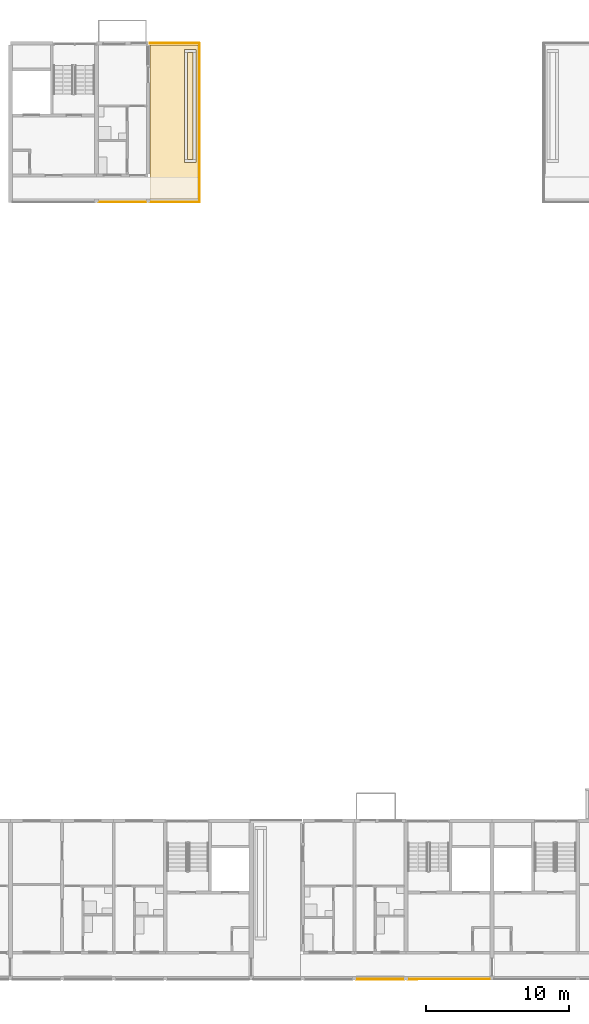
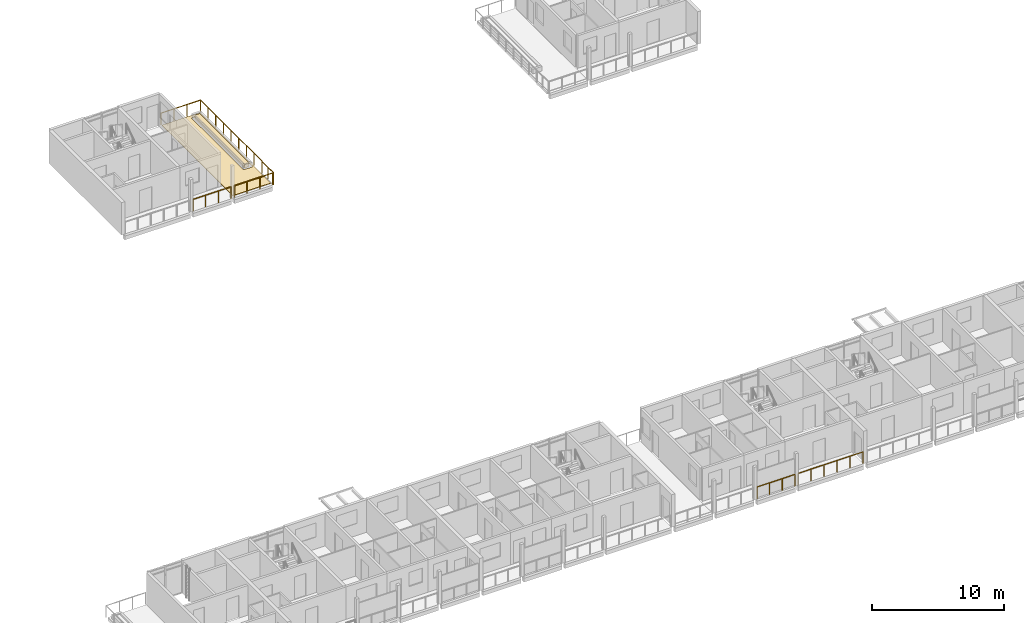
# One storey, part 58 of 64: 6 railings, 3 coverings.
"""IFC4 building model written with IfcOpenShell, lengths in metres."""

from ifc_helpers import new_model, si_unit, direction, frame, origin, origin_2d, place, context, subcontext, project, spatial, polyline, circle, outline, extrude, material, layer, layer_set, type_object, element, save


model = new_model("IFC4")

# Units and contexts
model_context = context("Model", 3, precision=1e-05, world=origin(), true_north=direction((0.0, 1.0)))
body_context = subcontext(model_context, "Body", "Model", "MODEL_VIEW")
ifc_project = project(units=[si_unit("LENGTHUNIT", "METRE"), si_unit("AREAUNIT", "SQUARE_METRE"), si_unit("VOLUMEUNIT", "CUBIC_METRE"), si_unit("PLANEANGLEUNIT", "RADIAN"), si_unit("MASSUNIT", "GRAM", prefix="KILO")], contexts=[model_context])

# Site, building, storey
site_placement = place(None, origin())
site = spatial("IfcSite", under=ifc_project, at=site_placement, CompositionType="ELEMENT")
building_placement = place(site_placement, origin())
building = spatial("IfcBuilding", under=site, at=building_placement, Name="Ridgestep Commons", CompositionType="ELEMENT")
storey_placement = place(building_placement, frame((0.0, 0.0, 33.0)))
storey = spatial("IfcBuildingStorey", under=building, at=storey_placement, Name="L11", CompositionType="ELEMENT", Elevation=33.0)

# Railings
ifc_material_1 = material(Name="Structural steel S355JR", Category="steel")
railing_type = type_object("IfcRailingType", Name="Guard 1100", PredefinedType="GUARDRAIL", material=ifc_material_1)
railing_1_placement = place(storey_placement, frame((193.5791015625, 67.821044921875, 0.0)))
element("IfcRailing", 1, at=railing_1_placement, inside=storey, type_object=railing_type, Name="Guard TD-C3R2-GD", PredefinedType="GUARDRAIL", context=body_context, shape_type="SweptSolid", body=[
    extrude(circle(Radius=0.02392578125, at=origin_2d()), frame((0.0, 0.0, 1.076171875), z_axis=(0.0, 1.0, 0.0), x_axis=(-1.0, 0.0, 0.0)), (0.0, 0.0, 1.0), 9.303955078125),
    extrude(circle(Radius=0.02392578125, at=origin_2d()), frame((0.0, 9.303955078125, 1.076171875), z_axis=(-1.0, 0.0, 0.0), x_axis=(0.0, -1.0, 0.0)), (0.0, 0.0, 1.0), 3.4580078125),
    extrude(circle(Radius=0.02099609375, at=origin_2d()), origin(), (0.0, 0.0, 1.0), 1.052001953125),
    extrude(circle(Radius=0.02099609375, at=origin_2d()), frame((0.0, 1.1630859375, 0.0)), (0.0, 0.0, 1.0), 1.052001953125),
    extrude(circle(Radius=0.02099609375, at=origin_2d()), frame((0.0, 2.325927734375, 0.0)), (0.0, 0.0, 1.0), 1.052001953125),
    extrude(circle(Radius=0.02099609375, at=origin_2d()), frame((0.0, 3.489013671875, 0.0)), (0.0, 0.0, 1.0), 1.052001953125),
    extrude(circle(Radius=0.02099609375, at=origin_2d()), frame((0.0, 4.65185546875, 0.0)), (0.0, 0.0, 1.0), 1.052001953125),
    extrude(circle(Radius=0.02099609375, at=origin_2d()), frame((0.0, 5.81494140625, 0.0)), (0.0, 0.0, 1.0), 1.052001953125),
    extrude(circle(Radius=0.02099609375, at=origin_2d()), frame((0.0, 6.97802734375, 0.0)), (0.0, 0.0, 1.0), 1.052001953125),
    extrude(circle(Radius=0.02099609375, at=origin_2d()), frame((0.0, 8.140869140625, 0.0)), (0.0, 0.0, 1.0), 1.052001953125),
    extrude(circle(Radius=0.02099609375, at=origin_2d()), frame((0.0, 9.303955078125, 0.0)), (0.0, 0.0, 1.0), 1.052001953125),
    extrude(circle(Radius=0.02099609375, at=origin_2d()), frame((-1.152587890625, 9.303955078125, 0.0)), (0.0, 0.0, 1.0), 1.052001953125),
    extrude(circle(Radius=0.02099609375, at=origin_2d()), frame((-2.305419921875, 9.303955078125, 0.0)), (0.0, 0.0, 1.0), 1.052001953125),
    extrude(circle(Radius=0.02099609375, at=origin_2d()), frame((-3.4580078125, 9.303955078125, 0.0)), (0.0, 0.0, 1.0), 1.052001953125),
])
railing_2_placement = place(storey_placement, frame((204.5458984375, 11.800048828125, 0.0)))
element("IfcRailing", 2, at=railing_2_placement, inside=storey, type_object=railing_type, Name="Gallery guard D 11.13", PredefinedType="GUARDRAIL", context=body_context, shape_type="SweptSolid", body=[
    extrude(circle(Radius=0.02392578125, at=origin_2d()), frame((0.0, 0.0, 1.076171875), z_axis=(1.0, 0.0, 0.0), x_axis=(0.0, 1.0, 0.0)), (0.0, 0.0, 1.0), 3.30810546875),
    extrude(circle(Radius=0.02099609375, at=origin_2d()), origin(), (0.0, 0.0, 1.0), 1.052001953125),
    extrude(circle(Radius=0.02099609375, at=origin_2d()), frame((1.102783203125, 0.0, 0.0)), (0.0, 0.0, 1.0), 1.052001953125),
    extrude(circle(Radius=0.02099609375, at=origin_2d()), frame((2.205322265625, 0.0, 0.0)), (0.0, 0.0, 1.0), 1.052001953125),
    extrude(circle(Radius=0.02099609375, at=origin_2d()), frame((3.30810546875, 0.0, 0.0)), (0.0, 0.0, 1.0), 1.052001953125),
])
railing_3_placement = place(storey_placement, frame((208.14599609375, 11.800048828125, 0.0)))
element("IfcRailing", 3, at=railing_3_placement, inside=storey, type_object=railing_type, Name="Gallery guard D 11.14", PredefinedType="GUARDRAIL", context=body_context, shape_type="SweptSolid", body=[
    extrude(circle(Radius=0.02392578125, at=origin_2d()), frame((0.0, 0.0, 1.076171875), z_axis=(1.0, 0.0, 0.0), x_axis=(0.0, 1.0, 0.0)), (0.0, 0.0, 1.0), 5.68310546875),
    extrude(circle(Radius=0.02099609375, at=origin_2d()), origin(), (0.0, 0.0, 1.0), 1.052001953125),
    extrude(circle(Radius=0.02099609375, at=origin_2d()), frame((1.13671875, 0.0, 0.0)), (0.0, 0.0, 1.0), 1.052001953125),
    extrude(circle(Radius=0.02099609375, at=origin_2d()), frame((2.273193359375, 0.0, 0.0)), (0.0, 0.0, 1.0), 1.052001953125),
    extrude(circle(Radius=0.02099609375, at=origin_2d()), frame((3.409912109375, 0.0, 0.0)), (0.0, 0.0, 1.0), 1.052001953125),
    extrude(circle(Radius=0.02099609375, at=origin_2d()), frame((4.54638671875, 0.0, 0.0)), (0.0, 0.0, 1.0), 1.052001953125),
    extrude(circle(Radius=0.02099609375, at=origin_2d()), frame((5.68310546875, 0.0, 0.0)), (0.0, 0.0, 1.0), 1.052001953125),
])
railing_4_placement = place(storey_placement, frame((186.5458984375, 66.050048828125, 0.0)))
element("IfcRailing", 4, at=railing_4_placement, inside=storey, type_object=railing_type, Name="Gallery guard C 11.2", PredefinedType="GUARDRAIL", context=body_context, shape_type="SweptSolid", body=[
    extrude(circle(Radius=0.02392578125, at=origin_2d()), frame((0.0, 0.0, 1.076171875), z_axis=(1.0, 0.0, 0.0), x_axis=(0.0, 1.0, 0.0)), (0.0, 0.0, 1.0), 3.30810546875),
    extrude(circle(Radius=0.02099609375, at=origin_2d()), origin(), (0.0, 0.0, 1.0), 1.052001953125),
    extrude(circle(Radius=0.02099609375, at=origin_2d()), frame((1.102783203125, 0.0, 0.0)), (0.0, 0.0, 1.0), 1.052001953125),
    extrude(circle(Radius=0.02099609375, at=origin_2d()), frame((2.205322265625, 0.0, 0.0)), (0.0, 0.0, 1.0), 1.052001953125),
    extrude(circle(Radius=0.02099609375, at=origin_2d()), frame((3.30810546875, 0.0, 0.0)), (0.0, 0.0, 1.0), 1.052001953125),
])
railing_5_placement = place(storey_placement, frame((190.14599609375, 66.050048828125, 0.0)))
element("IfcRailing", 5, at=railing_5_placement, inside=storey, type_object=railing_type, Name="Gallery guard C 11.3", PredefinedType="GUARDRAIL", context=body_context, shape_type="SweptSolid", body=[
    extrude(circle(Radius=0.02392578125, at=origin_2d()), frame((0.0, 0.0, 1.076171875), z_axis=(1.0, 0.0, 0.0), x_axis=(0.0, 1.0, 0.0)), (0.0, 0.0, 1.0), 3.3701171875),
    extrude(circle(Radius=0.02099609375, at=origin_2d()), origin(), (0.0, 0.0, 1.0), 1.052001953125),
    extrude(circle(Radius=0.02099609375, at=origin_2d()), frame((1.123291015625, 0.0, 0.0)), (0.0, 0.0, 1.0), 1.052001953125),
    extrude(circle(Radius=0.02099609375, at=origin_2d()), frame((2.246826171875, 0.0, 0.0)), (0.0, 0.0, 1.0), 1.052001953125),
    extrude(circle(Radius=0.02099609375, at=origin_2d()), frame((3.3701171875, 0.0, 0.0)), (0.0, 0.0, 1.0), 1.052001953125),
])
railing_6_placement = place(storey_placement, frame((193.5791015625, 66.050048828125, 0.0)))
element("IfcRailing", 6, at=railing_6_placement, inside=storey, type_object=railing_type, Name="Gallery end guard C 11.3E", PredefinedType="GUARDRAIL", context=body_context, shape_type="SweptSolid", body=[
    extrude(circle(Radius=0.02392578125, at=origin_2d()), frame((0.0, 0.0, 1.076171875), z_axis=(0.0, 1.0, 0.0), x_axis=(-1.0, 0.0, 0.0)), (0.0, 0.0, 1.0), 1.72900390625),
    extrude(circle(Radius=0.02099609375, at=origin_2d()), origin(), (0.0, 0.0, 1.0), 1.052001953125),
    extrude(circle(Radius=0.02099609375, at=origin_2d()), frame((0.0, 0.864501953125, 0.0)), (0.0, 0.0, 1.0), 1.052001953125),
    extrude(circle(Radius=0.02099609375, at=origin_2d()), frame((0.0, 1.72900390625, 0.0)), (0.0, 0.0, 1.0), 1.052001953125),
])

# Coverings
ifc_material_2 = material(Name="Planting soil")
ifc_layer_1 = layer(ifc_material_2, 0.35009765625)
ifc_layer_set_1 = layer_set([ifc_layer_1], Name="Planting soil 350")
covering_type_1 = type_object("IfcCoveringType", Name="Planting soil 350", PredefinedType="FLOORING", material=ifc_layer_set_1)
covering_1_placement = place(storey_placement, frame((0.0, 0.0, 0.010009765625)))
element("IfcCovering", 7, at=covering_1_placement, inside=storey, type_object=covering_type_1, Name="Planting soil C3R2", PredefinedType="FLOORING", context=body_context, shape_type="SweptSolid", body=[
    extrude(outline(polyline([(192.75, 69.0), (193.14990234375, 69.0), (193.14990234375, 76.5), (192.75, 76.5), (192.75, 69.0)])), origin(), (0.0, 0.0, 1.0), 0.35009765625),
])
ifc_material_3 = material(Name="Bitumen membrane, two layer")
ifc_layer_2 = layer(ifc_material_3, 0.010009765625)
ifc_layer_set_2 = layer_set([ifc_layer_2], Name="Terrace membrane 10")
covering_type_2 = type_object("IfcCoveringType", Name="Terrace membrane 10", PredefinedType="ROOFING", material=ifc_layer_set_2)
covering_2_placement = place(storey_placement, origin())
element("IfcCovering", 8, at=covering_2_placement, inside=storey, type_object=covering_type_2, Name="Terrace membrane C3R2", PredefinedType="ROOFING", context=body_context, shape_type="SweptSolid", body=[
    extrude(outline(polyline([(193.47509765625, 66.25), (193.47509765625, 77.0), (190.14990234375, 77.0), (190.14990234375, 66.25), (193.47509765625, 66.25)]), holes=[polyline([(193.35009765625, 68.800048828125), (193.35009765625, 76.699951171875), (192.550048828125, 76.699951171875), (192.550048828125, 68.800048828125), (193.35009765625, 68.800048828125)])]), origin(), (0.0, 0.0, 1.0), 0.010009765625),
])
ifc_material_4 = material(Name="Concrete paving slab", Category="concrete")
ifc_layer_3 = layer(ifc_material_4, 0.030029296875)
ifc_layer_set_3 = layer_set([ifc_layer_3], Name="Terrace paving 30")
covering_type_3 = type_object("IfcCoveringType", Name="Terrace paving 30", PredefinedType="FLOORING", material=ifc_layer_set_3)
covering_3_placement = place(storey_placement, frame((0.0, 0.0, 0.010009765625)))
element("IfcCovering", 9, at=covering_3_placement, inside=storey, type_object=covering_type_3, Name="Terrace paving C3R2", PredefinedType="FLOORING", context=body_context, shape_type="SweptSolid", body=[
    extrude(outline(polyline([(193.47509765625, 66.25), (193.47509765625, 77.0), (190.14990234375, 77.0), (190.14990234375, 66.25), (193.47509765625, 66.25)]), holes=[polyline([(193.35009765625, 68.800048828125), (193.35009765625, 76.699951171875), (192.550048828125, 76.699951171875), (192.550048828125, 68.800048828125), (193.35009765625, 68.800048828125)])]), origin(), (0.0, 0.0, 1.0), 0.030029296875),
])

save(model, "model.ifc")
